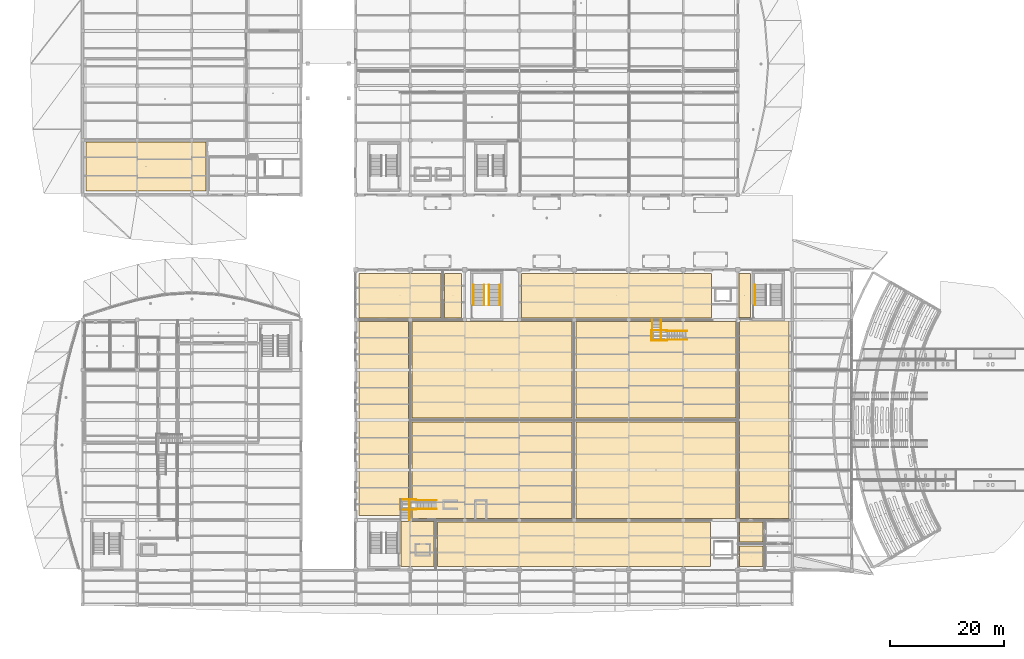
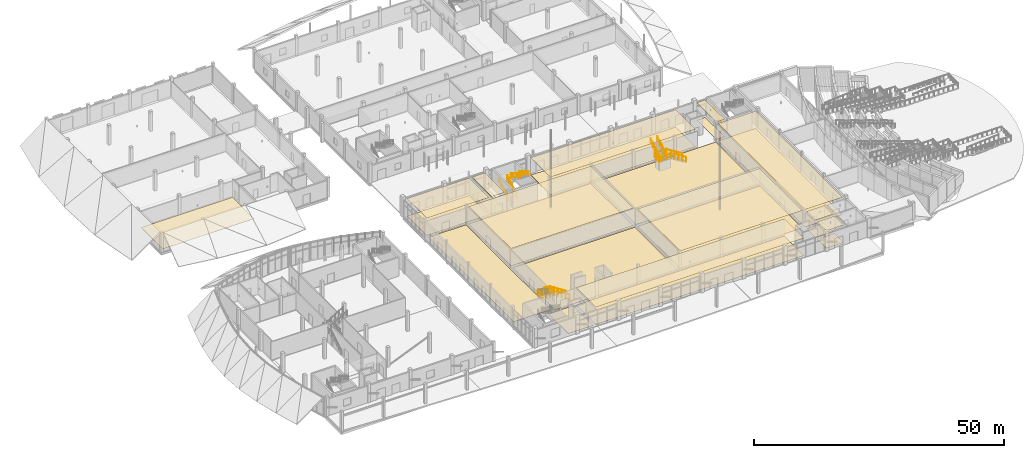
# One storey, part 108 of 116: 25 coverings, 14 railings, 4 elements without a shape of their own.
"""IFC4 building model written with IfcOpenShell, lengths in metres."""

from ifc_helpers import new_model, si_unit, direction, frame, origin, origin_2d, place, context, subcontext, project, spatial, polyline, circle, outline, extrude, material, layer, layer_set, type_object, element, aggregate, save


model = new_model("IFC4")

# Units and contexts
model_context = context("Model", 3, precision=1e-05, world=origin(), true_north=direction((0.0, 1.0)))
body_context = subcontext(model_context, "Body", "Model", "MODEL_VIEW")
ifc_project = project(units=[si_unit("LENGTHUNIT", "METRE"), si_unit("AREAUNIT", "SQUARE_METRE"), si_unit("VOLUMEUNIT", "CUBIC_METRE"), si_unit("PLANEANGLEUNIT", "RADIAN"), si_unit("MASSUNIT", "GRAM", prefix="KILO")], contexts=[model_context])

# Site, building, storey
site_placement = place(None, origin())
site = spatial("IfcSite", under=ifc_project, at=site_placement, CompositionType="ELEMENT")
building_placement = place(site_placement, origin())
building = spatial("IfcBuilding", under=site, at=building_placement, Name="Chalmorin Arch Market", CompositionType="ELEMENT")
storey_placement = place(building_placement, origin())
storey = spatial("IfcBuildingStorey", under=building, at=storey_placement, Name="L00", CompositionType="ELEMENT", Elevation=0.0)

# Coverings
ifc_material_1 = material(Name="Mineral Fibre Acoustic Tile")
ifc_layer_1 = layer(ifc_material_1, 0.044921875)
ifc_layer_set_1 = layer_set([ifc_layer_1], Name="Mineral Fibre Acoustic Tile")
covering_type_1 = type_object("IfcCoveringType", Name="AcousticBaffleCeiling-45", PredefinedType="CEILING", material=ifc_layer_set_1)
covering_1_placement = place(storey_placement, frame((0.0, 0.0, 4.235107421875)))
element("IfcCovering", 1, at=covering_1_placement, inside=storey, type_object=covering_type_1, Name="CLG-01-058", PredefinedType="CEILING", context=body_context, shape_type="SweptSolid", body=[
    extrude(outline(polyline([(86.719970703125, 15.1201171875), (114.8798828125, 15.1201171875), (114.8798828125, 32.080078125), (86.719970703125, 32.080078125), (86.719970703125, 15.1201171875)])), origin(), (0.0, 0.0, 1.0), 0.044921875),
])
covering_2_placement = place(storey_placement, frame((0.0, 0.0, 4.235107421875)))
element("IfcCovering", 2, at=covering_2_placement, inside=storey, type_object=covering_type_1, Name="CLG-01-060", PredefinedType="CEILING", context=body_context, shape_type="SweptSolid", body=[
    extrude(outline(polyline([(57.919921875, 32.719970703125), (86.080078125, 32.719970703125), (86.080078125, 49.679931640625), (57.919921875, 49.679931640625), (57.919921875, 32.719970703125)])), origin(), (0.0, 0.0, 1.0), 0.044921875),
])
covering_3_placement = place(storey_placement, frame((0.0, 0.0, 4.235107421875)))
element("IfcCovering", 3, at=covering_3_placement, inside=storey, type_object=covering_type_1, Name="CLG-01-063", PredefinedType="CEILING", context=body_context, shape_type="SweptSolid", body=[
    extrude(outline(polyline([(62.419921875, 6.6201171875), (110.3798828125, 6.6201171875), (110.3798828125, 14.47998046875), (62.419921875, 14.47998046875), (62.419921875, 6.6201171875)])), origin(), (0.0, 0.0, 1.0), 0.044921875),
])
covering_4_placement = place(storey_placement, frame((0.0, 0.0, 4.235107421875)))
element("IfcCovering", 4, at=covering_4_placement, inside=storey, type_object=covering_type_1, Name="CLG-01-065", PredefinedType="CEILING", context=body_context, shape_type="SweptSolid", body=[
    extrude(outline(polyline([(77.1201171875, 50.320068359375), (110.580078125, 50.320068359375), (110.580078125, 58.179931640625), (77.1201171875, 58.179931640625), (77.1201171875, 50.320068359375)])), origin(), (0.0, 0.0, 1.0), 0.044921875),
])
covering_5_placement = place(storey_placement, frame((0.0, 0.0, 4.235107421875)))
element("IfcCovering", 5, at=covering_5_placement, inside=storey, type_object=covering_type_1, Name="CLG-01-067", PredefinedType="CEILING", context=body_context, shape_type="SweptSolid", body=[
    extrude(outline(polyline([(48.6201171875, 50.320068359375), (62.97998046875, 50.320068359375), (62.97998046875, 58.179931640625), (48.6201171875, 58.179931640625), (48.6201171875, 50.320068359375)])), origin(), (0.0, 0.0, 1.0), 0.044921875),
])
covering_6_placement = place(storey_placement, frame((0.0, 0.0, 4.235107421875)))
element("IfcCovering", 6, at=covering_6_placement, inside=storey, type_object=covering_type_1, Name="CLG-01-071", PredefinedType="CEILING", context=body_context, shape_type="SweptSolid", body=[
    extrude(outline(polyline([(63.6201171875, 50.320068359375), (66.580078125, 50.320068359375), (66.580078125, 58.179931640625), (63.6201171875, 58.179931640625), (63.6201171875, 50.320068359375)])), origin(), (0.0, 0.0, 1.0), 0.044921875),
])
covering_7_placement = place(storey_placement, frame((0.0, 0.0, 4.235107421875)))
element("IfcCovering", 7, at=covering_7_placement, inside=storey, type_object=covering_type_1, Name="CLG-01-073", PredefinedType="CEILING", context=body_context, shape_type="SweptSolid", body=[
    extrude(outline(polyline([(115.52001953125, 15.1201171875), (124.179931640625, 15.1201171875), (124.179931640625, 49.780029296875), (115.52001953125, 49.780029296875), (115.52001953125, 15.1201171875)])), origin(), (0.0, 0.0, 1.0), 0.044921875),
])
covering_8_placement = place(storey_placement, frame((0.0, 0.0, 4.235107421875)))
element("IfcCovering", 8, at=covering_8_placement, inside=storey, type_object=covering_type_1, Name="CLG-01-075", PredefinedType="CEILING", context=body_context, shape_type="SweptSolid", body=[
    extrude(outline(polyline([(115.419921875, 50.419921875), (117.3798828125, 50.419921875), (117.3798828125, 58.179931640625), (115.419921875, 58.179931640625), (115.419921875, 50.419921875)])), origin(), (0.0, 0.0, 1.0), 0.044921875),
])
ifc_material_2 = material(Name="Epoxy Resin Flooring")
ifc_layer_2 = layer(ifc_material_2, 0.02001953125)
ifc_layer_set_2 = layer_set([ifc_layer_2], Name="Epoxy Resin Flooring")
covering_type_2 = type_object("IfcCoveringType", Name="EpoxySlipResistantKitchenFloor-20", PredefinedType="FLOORING", material=ifc_layer_set_2)
covering_9_placement = place(storey_placement, origin())
element("IfcCovering", 9, at=covering_9_placement, inside=storey, type_object=covering_type_2, Name="FLR-02-109", PredefinedType="FLOORING", context=body_context, shape_type="SweptSolid", body=[
    extrude(outline(polyline([(0.6201171875, 72.6201171875), (21.679931640625, 72.6201171875), (21.679931640625, 81.280029296875), (0.6201171875, 81.280029296875), (0.6201171875, 72.6201171875)])), origin(), (0.0, 0.0, 1.0), 0.02001953125),
])
ifc_material_3 = material(Name="Gypsum Board Partition")
ifc_layer_3 = layer(ifc_material_3, 0.030029296875)
ifc_layer_set_3 = layer_set([ifc_layer_3], Name="Gypsum Board Partition")
covering_type_3 = type_object("IfcCoveringType", Name="MoistureResistantGypsumCeiling-30", PredefinedType="CEILING", material=ifc_layer_set_3)
covering_10_placement = place(storey_placement, frame((0.0, 0.0, 4.25)))
element("IfcCovering", 10, at=covering_10_placement, inside=storey, type_object=covering_type_3, Name="CLG-03-077", PredefinedType="CEILING", context=body_context, shape_type="SweptSolid", body=[
    extrude(outline(polyline([(115.52001953125, 6.6201171875), (119.580078125, 6.6201171875), (119.580078125, 10.280029296875), (115.52001953125, 10.280029296875), (115.52001953125, 6.6201171875)])), origin(), (0.0, 0.0, 1.0), 0.030029296875),
])
covering_11_placement = place(storey_placement, frame((0.0, 0.0, 4.25)))
element("IfcCovering", 11, at=covering_11_placement, inside=storey, type_object=covering_type_3, Name="CLG-03-081", PredefinedType="CEILING", context=body_context, shape_type="SweptSolid", body=[
    extrude(outline(polyline([(115.52001953125, 10.919921875), (119.580078125, 10.919921875), (119.580078125, 14.47998046875), (115.52001953125, 14.47998046875), (115.52001953125, 10.919921875)])), origin(), (0.0, 0.0, 1.0), 0.030029296875),
])
ifc_material_4 = material(Name="Ceramic Porcelain Tile")
ifc_layer_4 = layer(ifc_material_4, 0.01806640625)
ifc_layer_set_4 = layer_set([ifc_layer_4], Name="Ceramic Porcelain Tile")
covering_type_4 = type_object("IfcCoveringType", Name="PorcelainRestroomTileFloor-18", PredefinedType="FLOORING", material=ifc_layer_set_4)
covering_12_placement = place(storey_placement, origin())
element("IfcCovering", 12, at=covering_12_placement, inside=storey, type_object=covering_type_4, Name="FLR-03-076", PredefinedType="FLOORING", context=body_context, shape_type="SweptSolid", body=[
    extrude(outline(polyline([(115.52001953125, 6.6201171875), (119.580078125, 6.6201171875), (119.580078125, 10.280029296875), (115.52001953125, 10.280029296875), (115.52001953125, 6.6201171875)])), origin(), (0.0, 0.0, 1.0), 0.01806640625),
])
covering_13_placement = place(storey_placement, origin())
element("IfcCovering", 13, at=covering_13_placement, inside=storey, type_object=covering_type_4, Name="FLR-03-080", PredefinedType="FLOORING", context=body_context, shape_type="SweptSolid", body=[
    extrude(outline(polyline([(115.52001953125, 10.919921875), (119.580078125, 10.919921875), (119.580078125, 14.47998046875), (115.52001953125, 14.47998046875), (115.52001953125, 10.919921875)])), origin(), (0.0, 0.0, 1.0), 0.01806640625),
])

# Stair, railing
ifc_material_5 = material(Name="Concrete C40/50", Category="concrete")
stair_type_1 = type_object("IfcStairType", Name="DoglegExitStair-28R-SC4", PredefinedType="HALF_TURN_STAIR", material=ifc_material_5)
stair_1_placement = place(storey_placement, origin())
stair_1 = element("IfcStair", 14, at=stair_1_placement, inside=storey, type_object=stair_type_1, Name="ST-09", PredefinedType="HALF_TURN_STAIR")
ifc_material_6 = material(Name="Stainless Steel 316", Category="steel")
ifc_layer_5 = layer(ifc_material_6, 0.048095703125)
ifc_layer_set_5 = layer_set([ifc_layer_5], Name="Stainless Steel 316")
railing_type_1 = type_object("IfcRailingType", Name="StairTubeHandrail-920", PredefinedType="HANDRAIL", material=ifc_layer_set_5)
railing_1_placement = place(storey_placement, frame((118.199951171875, 52.56005859375, 0.17138671875)))
railing_1 = element("IfcRailing", 15, at=railing_1_placement, type_object=railing_type_1, Name="HR-01-037", PredefinedType="HANDRAIL", context=body_context, shape_type="SweptSolid", body=[
    extrude(circle(Radius=0.02392578125, at=origin_2d()), frame((0.0, 0.0, 0.89599609375), z_axis=(0.0, 0.852850264322, 0.5221555579), x_axis=(-1.0, 0.0, 0.0)), (0.0, 0.0, 1.0), 4.267822265625),
    extrude(circle(Radius=0.02099609375, at=origin_2d()), origin(), (0.0, 0.0, 1.0), 0.871826171875),
    extrude(circle(Radius=0.02099609375, at=origin_2d()), frame((0.0, 0.909912109375, 0.55712890625)), (0.0, 0.0, 1.0), 0.871826171875),
    extrude(circle(Radius=0.02099609375, at=origin_2d()), frame((0.0, 1.81982421875, 1.1142578125)), (0.0, 0.0, 1.0), 0.871826171875),
    extrude(circle(Radius=0.02099609375, at=origin_2d()), frame((0.0, 2.72998046875, 1.67138671875)), (0.0, 0.0, 1.0), 0.871826171875),
    extrude(circle(Radius=0.02099609375, at=origin_2d()), frame((0.0, 3.639892578125, 2.228515625)), (0.0, 0.0, 1.0), 0.871826171875),
])
aggregate(stair_1, [railing_1])

# Stair, railings
stair_type_2 = type_object("IfcStairType", Name="DoglegExitStair-28R-SC8", PredefinedType="HALF_TURN_STAIR", material=ifc_material_5)
stair_2_placement = place(storey_placement, origin())
stair_2 = element("IfcStair", 16, at=stair_2_placement, inside=storey, type_object=stair_type_2, Name="ST-24", PredefinedType="HALF_TURN_STAIR")
railing_2_placement = place(storey_placement, frame((68.699951171875, 52.56005859375, 0.17138671875)))
railing_2 = element("IfcRailing", 17, at=railing_2_placement, type_object=railing_type_1, Name="HR-01-101", PredefinedType="HANDRAIL", context=body_context, shape_type="SweptSolid", body=[
    extrude(circle(Radius=0.02392578125, at=origin_2d()), frame((0.0, 0.0, 0.89599609375), z_axis=(0.0, 0.852850264322, 0.5221555579), x_axis=(-1.0, 0.0, 0.0)), (0.0, 0.0, 1.0), 4.267822265625),
    extrude(circle(Radius=0.02099609375, at=origin_2d()), origin(), (0.0, 0.0, 1.0), 0.871826171875),
    extrude(circle(Radius=0.02099609375, at=origin_2d()), frame((0.0, 0.909912109375, 0.55712890625)), (0.0, 0.0, 1.0), 0.871826171875),
    extrude(circle(Radius=0.02099609375, at=origin_2d()), frame((0.0, 1.81982421875, 1.1142578125)), (0.0, 0.0, 1.0), 0.871826171875),
    extrude(circle(Radius=0.02099609375, at=origin_2d()), frame((0.0, 2.72998046875, 1.67138671875)), (0.0, 0.0, 1.0), 0.871826171875),
    extrude(circle(Radius=0.02099609375, at=origin_2d()), frame((0.0, 3.639892578125, 2.228515625)), (0.0, 0.0, 1.0), 0.871826171875),
])
railing_3_placement = place(storey_placement, frame((73.39990234375, 56.199951171875, 2.5712890625)))
railing_3 = element("IfcRailing", 18, at=railing_3_placement, type_object=railing_type_1, Name="HR-01-104", PredefinedType="HANDRAIL", context=body_context, shape_type="SweptSolid", body=[
    extrude(circle(Radius=0.02392578125, at=origin_2d()), frame((0.0, 0.0, 0.89599609375), z_axis=(0.0, -0.852824790078, 0.522197163366), x_axis=(1.0, 0.0, 0.0)), (0.0, 0.0, 1.0), 4.26806640625),
    extrude(circle(Radius=0.02099609375, at=origin_2d()), origin(), (0.0, 0.0, 1.0), 0.871826171875),
    extrude(circle(Radius=0.02099609375, at=origin_2d()), frame((0.0, -0.909912109375, 0.55712890625)), (0.0, 0.0, 1.0), 0.871826171875),
    extrude(circle(Radius=0.02099609375, at=origin_2d()), frame((0.0, -1.81982421875, 1.1142578125)), (0.0, 0.0, 1.0), 0.871826171875),
    extrude(circle(Radius=0.02099609375, at=origin_2d()), frame((0.0, -2.72998046875, 1.671630859375)), (0.0, 0.0, 1.0), 0.871826171875),
    extrude(circle(Radius=0.02099609375, at=origin_2d()), frame((0.0, -3.639892578125, 2.228759765625)), (0.0, 0.0, 1.0), 0.871826171875),
])
ifc_material_7 = material(Name="Galvanised Steel", Category="steel")
ifc_layer_6 = layer(ifc_material_7, 0.054931640625)
ifc_layer_set_6 = layer_set([ifc_layer_6], Name="Galvanised Steel")
railing_type_2 = type_object("IfcRailingType", Name="StairWellGuardrail-1100", PredefinedType="GUARDRAIL", material=ifc_layer_set_6)
railing_4_placement = place(storey_placement, frame((70.6298828125, 52.56005859375, 0.17138671875)))
railing_4 = element("IfcRailing", 19, at=railing_4_placement, type_object=railing_type_2, Name="SG-01-102", PredefinedType="GUARDRAIL", context=body_context, shape_type="SweptSolid", body=[
    extrude(circle(Radius=0.02392578125, at=origin_2d()), frame((0.0, 0.0, 1.076171875), z_axis=(0.0, 0.852850264322, 0.5221555579), x_axis=(-1.0, 0.0, 0.0)), (0.0, 0.0, 1.0), 4.267822265625),
    extrude(circle(Radius=0.02099609375, at=origin_2d()), origin(), (0.0, 0.0, 1.0), 1.052001953125),
    extrude(circle(Radius=0.02099609375, at=origin_2d()), frame((0.0, 0.909912109375, 0.55712890625)), (0.0, 0.0, 1.0), 1.052001953125),
    extrude(circle(Radius=0.02099609375, at=origin_2d()), frame((0.0, 1.81982421875, 1.1142578125)), (0.0, 0.0, 1.0), 1.052001953125),
    extrude(circle(Radius=0.02099609375, at=origin_2d()), frame((0.0, 2.72998046875, 1.67138671875)), (0.0, 0.0, 1.0), 1.052001953125),
    extrude(circle(Radius=0.02099609375, at=origin_2d()), frame((0.0, 3.639892578125, 2.228515625)), (0.0, 0.0, 1.0), 1.052001953125),
])
railing_5_placement = place(storey_placement, frame((71.469970703125, 56.199951171875, 2.5712890625)))
railing_5 = element("IfcRailing", 20, at=railing_5_placement, type_object=railing_type_2, Name="SG-01-103", PredefinedType="GUARDRAIL", context=body_context, shape_type="SweptSolid", body=[
    extrude(circle(Radius=0.02392578125, at=origin_2d()), frame((0.0, 0.0, 1.076171875), z_axis=(0.0, -0.852824790078, 0.522197163366), x_axis=(1.0, 0.0, 0.0)), (0.0, 0.0, 1.0), 4.26806640625),
    extrude(circle(Radius=0.02099609375, at=origin_2d()), origin(), (0.0, 0.0, 1.0), 1.052001953125),
    extrude(circle(Radius=0.02099609375, at=origin_2d()), frame((0.0, -0.909912109375, 0.55712890625)), (0.0, 0.0, 1.0), 1.052001953125),
    extrude(circle(Radius=0.02099609375, at=origin_2d()), frame((0.0, -1.81982421875, 1.1142578125)), (0.0, 0.0, 1.0), 1.052001953125),
    extrude(circle(Radius=0.02099609375, at=origin_2d()), frame((0.0, -2.72998046875, 1.671630859375)), (0.0, 0.0, 1.0), 1.052001953125),
    extrude(circle(Radius=0.02099609375, at=origin_2d()), frame((0.0, -3.639892578125, 2.228759765625)), (0.0, 0.0, 1.0), 1.052001953125),
])
aggregate(stair_2, [railing_2, railing_4, railing_5, railing_3])

ifc_material_8 = material(Name="Steel A992 Grade 50", Category="steel")
stair_type_3 = type_object("IfcStairType", Name="GalleryFeatureStair-Steel", PredefinedType="QUARTER_TURN_STAIR", material=ifc_material_8)
stair_3_placement = place(storey_placement, origin())
stair_3 = element("IfcStair", 21, at=stair_3_placement, inside=storey, type_object=stair_type_3, Name="ST-26", PredefinedType="QUARTER_TURN_STAIR")
railing_6_placement = place(storey_placement, frame((58.6201171875, 16.610107421875, 2.39990234375)))
railing_6 = element("IfcRailing", 22, at=railing_6_placement, type_object=railing_type_2, Name="SG-01-109", PredefinedType="GUARDRAIL", context=body_context, shape_type="SweptSolid", body=[
    extrude(circle(Radius=0.02392578125, at=origin_2d()), frame((0.0, 0.0, 1.076171875), z_axis=(-1.0, 0.0, 0.0), x_axis=(0.0, -1.0, 0.0)), (0.0, 0.0, 1.0), 2.760009765625),
    extrude(circle(Radius=0.02392578125, at=origin_2d()), frame((-2.760009765625, 0.0, 1.076171875), z_axis=(0.0, 1.0, 0.0), x_axis=(-1.0, 0.0, 0.0)), (0.0, 0.0, 1.0), 1.829833984375),
    extrude(circle(Radius=0.02392578125, at=origin_2d()), frame((-2.760009765625, 1.829833984375, 1.076171875), z_axis=(1.0, 0.0, 0.0), x_axis=(0.0, 1.0, 0.0)), (0.0, 0.0, 1.0), 2.760009765625),
    extrude(circle(Radius=0.02099609375, at=origin_2d()), origin(), (0.0, 0.0, 1.0), 1.052001953125),
    extrude(circle(Radius=0.02099609375, at=origin_2d()), frame((-0.919921875, 0.0, 0.0)), (0.0, 0.0, 1.0), 1.052001953125),
    extrude(circle(Radius=0.02099609375, at=origin_2d()), frame((-1.840087890625, 0.0, 0.0)), (0.0, 0.0, 1.0), 1.052001953125),
    extrude(circle(Radius=0.02099609375, at=origin_2d()), frame((-2.760009765625, 0.0, 0.0)), (0.0, 0.0, 1.0), 1.052001953125),
    extrude(circle(Radius=0.02099609375, at=origin_2d()), frame((-2.760009765625, 0.9150390625, 0.0)), (0.0, 0.0, 1.0), 1.052001953125),
    extrude(circle(Radius=0.02099609375, at=origin_2d()), frame((-2.760009765625, 1.829833984375, 0.0)), (0.0, 0.0, 1.0), 1.052001953125),
    extrude(circle(Radius=0.02099609375, at=origin_2d()), frame((-1.840087890625, 1.829833984375, 0.0)), (0.0, 0.0, 1.0), 1.052001953125),
    extrude(circle(Radius=0.02099609375, at=origin_2d()), frame((-0.919921875, 1.829833984375, 0.0)), (0.0, 0.0, 1.0), 1.052001953125),
    extrude(circle(Radius=0.02099609375, at=origin_2d()), frame((0.0, 1.829833984375, 0.0)), (0.0, 0.0, 1.0), 1.052001953125),
])
railing_7_placement = place(storey_placement, frame((62.199951171875, 18.284912109375, 0.17138671875)))
railing_7 = element("IfcRailing", 23, at=railing_7_placement, type_object=railing_type_2, Name="SG-01-110", PredefinedType="GUARDRAIL", context=body_context, shape_type="SweptSolid", body=[
    extrude(circle(Radius=0.02392578125, at=origin_2d()), frame((0.0, 0.0, 1.076171875), z_axis=(-0.852850264322, 0.0, 0.5221555579), x_axis=(0.0, -1.0, 0.0)), (0.0, 0.0, 1.0), 4.267822265625),
    extrude(circle(Radius=0.02099609375, at=origin_2d()), origin(), (0.0, 0.0, 1.0), 1.052001953125),
    extrude(circle(Radius=0.02099609375, at=origin_2d()), frame((-0.909912109375, 0.0, 0.55712890625)), (0.0, 0.0, 1.0), 1.052001953125),
    extrude(circle(Radius=0.02099609375, at=origin_2d()), frame((-1.81982421875, 0.0, 1.1142578125)), (0.0, 0.0, 1.0), 1.052001953125),
    extrude(circle(Radius=0.02099609375, at=origin_2d()), frame((-2.72998046875, 0.0, 1.67138671875)), (0.0, 0.0, 1.0), 1.052001953125),
    extrude(circle(Radius=0.02099609375, at=origin_2d()), frame((-3.639892578125, 0.0, 2.228515625)), (0.0, 0.0, 1.0), 1.052001953125),
])
railing_8_placement = place(storey_placement, frame((62.199951171875, 16.7548828125, 0.17138671875)))
railing_8 = element("IfcRailing", 24, at=railing_8_placement, type_object=railing_type_2, Name="SG-01-111", PredefinedType="GUARDRAIL", context=body_context, shape_type="SweptSolid", body=[
    extrude(circle(Radius=0.02392578125, at=origin_2d()), frame((0.0, 0.0, 1.076171875), z_axis=(-0.852850264322, 0.0, 0.5221555579), x_axis=(0.0, -1.0, 0.0)), (0.0, 0.0, 1.0), 4.267822265625),
    extrude(circle(Radius=0.02099609375, at=origin_2d()), origin(), (0.0, 0.0, 1.0), 1.052001953125),
    extrude(circle(Radius=0.02099609375, at=origin_2d()), frame((-0.909912109375, 0.0, 0.55712890625)), (0.0, 0.0, 1.0), 1.052001953125),
    extrude(circle(Radius=0.02099609375, at=origin_2d()), frame((-1.81982421875, 0.0, 1.1142578125)), (0.0, 0.0, 1.0), 1.052001953125),
    extrude(circle(Radius=0.02099609375, at=origin_2d()), frame((-2.72998046875, 0.0, 1.67138671875)), (0.0, 0.0, 1.0), 1.052001953125),
    extrude(circle(Radius=0.02099609375, at=origin_2d()), frame((-3.639892578125, 0.0, 2.228515625)), (0.0, 0.0, 1.0), 1.052001953125),
])
railing_9_placement = place(storey_placement, frame((57.465087890625, 18.409912109375, 2.5712890625)))
railing_9 = element("IfcRailing", 25, at=railing_9_placement, type_object=railing_type_2, Name="SG-01-113", PredefinedType="GUARDRAIL", context=body_context, shape_type="SweptSolid", body=[
    extrude(circle(Radius=0.02392578125, at=origin_2d()), frame((0.0, 0.0, 1.076171875), z_axis=(0.0, -0.852824790078, 0.522197163366), x_axis=(1.0, 0.0, 0.0)), (0.0, 0.0, 1.0), 4.26806640625),
    extrude(circle(Radius=0.02099609375, at=origin_2d()), origin(), (0.0, 0.0, 1.0), 1.052001953125),
    extrude(circle(Radius=0.02099609375, at=origin_2d()), frame((0.0, -0.909912109375, 0.55712890625)), (0.0, 0.0, 1.0), 1.052001953125),
    extrude(circle(Radius=0.02099609375, at=origin_2d()), frame((0.0, -1.81982421875, 1.1142578125)), (0.0, 0.0, 1.0), 1.052001953125),
    extrude(circle(Radius=0.02099609375, at=origin_2d()), frame((0.0, -2.72998046875, 1.671630859375)), (0.0, 0.0, 1.0), 1.052001953125),
    extrude(circle(Radius=0.02099609375, at=origin_2d()), frame((0.0, -3.639892578125, 2.228759765625)), (0.0, 0.0, 1.0), 1.052001953125),
])
aggregate(stair_3, [railing_6, railing_7, railing_8, railing_9])

stair_4_placement = place(storey_placement, origin())
stair_4 = element("IfcStair", 26, at=stair_4_placement, inside=storey, type_object=stair_type_3, Name="ST-27", PredefinedType="QUARTER_TURN_STAIR")
railing_10_placement = place(storey_placement, frame((102.719970703125, 46.360107421875, 2.39990234375)))
railing_10 = element("IfcRailing", 27, at=railing_10_placement, type_object=railing_type_2, Name="SG-01-114", PredefinedType="GUARDRAIL", context=body_context, shape_type="SweptSolid", body=[
    extrude(circle(Radius=0.02392578125, at=origin_2d()), frame((0.0, 0.0, 1.076171875), z_axis=(-1.0, 0.0, 0.0), x_axis=(0.0, -1.0, 0.0)), (0.0, 0.0, 1.0), 2.760009765625),
    extrude(circle(Radius=0.02392578125, at=origin_2d()), frame((-2.760009765625, 0.0, 1.076171875), z_axis=(0.0, 1.0, 0.0), x_axis=(-1.0, 0.0, 0.0)), (0.0, 0.0, 1.0), 1.829833984375),
    extrude(circle(Radius=0.02392578125, at=origin_2d()), frame((-2.760009765625, 1.829833984375, 1.076171875), z_axis=(1.0, 0.0, 0.0), x_axis=(0.0, 1.0, 0.0)), (0.0, 0.0, 1.0), 2.760009765625),
    extrude(circle(Radius=0.02099609375, at=origin_2d()), origin(), (0.0, 0.0, 1.0), 1.052001953125),
    extrude(circle(Radius=0.02099609375, at=origin_2d()), frame((-0.919921875, 0.0, 0.0)), (0.0, 0.0, 1.0), 1.052001953125),
    extrude(circle(Radius=0.02099609375, at=origin_2d()), frame((-1.840087890625, 0.0, 0.0)), (0.0, 0.0, 1.0), 1.052001953125),
    extrude(circle(Radius=0.02099609375, at=origin_2d()), frame((-2.760009765625, 0.0, 0.0)), (0.0, 0.0, 1.0), 1.052001953125),
    extrude(circle(Radius=0.02099609375, at=origin_2d()), frame((-2.760009765625, 0.9150390625, 0.0)), (0.0, 0.0, 1.0), 1.052001953125),
    extrude(circle(Radius=0.02099609375, at=origin_2d()), frame((-2.760009765625, 1.829833984375, 0.0)), (0.0, 0.0, 1.0), 1.052001953125),
    extrude(circle(Radius=0.02099609375, at=origin_2d()), frame((-1.840087890625, 1.829833984375, 0.0)), (0.0, 0.0, 1.0), 1.052001953125),
    extrude(circle(Radius=0.02099609375, at=origin_2d()), frame((-0.919921875, 1.829833984375, 0.0)), (0.0, 0.0, 1.0), 1.052001953125),
    extrude(circle(Radius=0.02099609375, at=origin_2d()), frame((0.0, 1.829833984375, 0.0)), (0.0, 0.0, 1.0), 1.052001953125),
])
railing_11_placement = place(storey_placement, frame((106.300048828125, 48.044921875, 0.17138671875)))
railing_11 = element("IfcRailing", 28, at=railing_11_placement, type_object=railing_type_2, Name="SG-01-115", PredefinedType="GUARDRAIL", context=body_context, shape_type="SweptSolid", body=[
    extrude(circle(Radius=0.02392578125, at=origin_2d()), frame((0.0, 0.0, 1.076171875), z_axis=(-0.852865859571, 0.0, 0.52213008492), x_axis=(0.0, -1.0, 0.0)), (0.0, 0.0, 1.0), 4.26806640625),
    extrude(circle(Radius=0.02099609375, at=origin_2d()), origin(), (0.0, 0.0, 1.0), 1.052001953125),
    extrude(circle(Radius=0.02099609375, at=origin_2d()), frame((-0.91015625, 0.0, 0.55712890625)), (0.0, 0.0, 1.0), 1.052001953125),
    extrude(circle(Radius=0.02099609375, at=origin_2d()), frame((-1.820068359375, 0.0, 1.1142578125)), (0.0, 0.0, 1.0), 1.052001953125),
    extrude(circle(Radius=0.02099609375, at=origin_2d()), frame((-2.72998046875, 0.0, 1.67138671875)), (0.0, 0.0, 1.0), 1.052001953125),
    extrude(circle(Radius=0.02099609375, at=origin_2d()), frame((-3.64013671875, 0.0, 2.228515625)), (0.0, 0.0, 1.0), 1.052001953125),
])
railing_12_placement = place(storey_placement, frame((106.300048828125, 46.514892578125, 0.17138671875)))
railing_12 = element("IfcRailing", 29, at=railing_12_placement, type_object=railing_type_2, Name="SG-01-116", PredefinedType="GUARDRAIL", context=body_context, shape_type="SweptSolid", body=[
    extrude(circle(Radius=0.02392578125, at=origin_2d()), frame((0.0, 0.0, 1.076171875), z_axis=(-0.852865859571, 0.0, 0.52213008492), x_axis=(0.0, -1.0, 0.0)), (0.0, 0.0, 1.0), 4.26806640625),
    extrude(circle(Radius=0.02099609375, at=origin_2d()), origin(), (0.0, 0.0, 1.0), 1.052001953125),
    extrude(circle(Radius=0.02099609375, at=origin_2d()), frame((-0.91015625, 0.0, 0.55712890625)), (0.0, 0.0, 1.0), 1.052001953125),
    extrude(circle(Radius=0.02099609375, at=origin_2d()), frame((-1.820068359375, 0.0, 1.1142578125)), (0.0, 0.0, 1.0), 1.052001953125),
    extrude(circle(Radius=0.02099609375, at=origin_2d()), frame((-2.72998046875, 0.0, 1.67138671875)), (0.0, 0.0, 1.0), 1.052001953125),
    extrude(circle(Radius=0.02099609375, at=origin_2d()), frame((-3.64013671875, 0.0, 2.228515625)), (0.0, 0.0, 1.0), 1.052001953125),
])
railing_13_placement = place(storey_placement, frame((101.6650390625, 46.389892578125, 2.5712890625)))
railing_13 = element("IfcRailing", 30, at=railing_13_placement, type_object=railing_type_2, Name="SG-01-117", PredefinedType="GUARDRAIL", context=body_context, shape_type="SweptSolid", body=[
    extrude(circle(Radius=0.02392578125, at=origin_2d()), frame((0.0, 0.0, 1.076171875), z_axis=(0.0, 0.852840387347, 0.522171689878), x_axis=(-1.0, 0.0, 0.0)), (0.0, 0.0, 1.0), 4.268310546875),
    extrude(circle(Radius=0.02099609375, at=origin_2d()), origin(), (0.0, 0.0, 1.0), 1.052001953125),
    extrude(circle(Radius=0.02099609375, at=origin_2d()), frame((0.0, 0.91015625, 0.55712890625)), (0.0, 0.0, 1.0), 1.052001953125),
    extrude(circle(Radius=0.02099609375, at=origin_2d()), frame((0.0, 1.820068359375, 1.1142578125)), (0.0, 0.0, 1.0), 1.052001953125),
    extrude(circle(Radius=0.02099609375, at=origin_2d()), frame((0.0, 2.72998046875, 1.671630859375)), (0.0, 0.0, 1.0), 1.052001953125),
    extrude(circle(Radius=0.02099609375, at=origin_2d()), frame((0.0, 3.64013671875, 2.228759765625)), (0.0, 0.0, 1.0), 1.052001953125),
])
railing_14_placement = place(storey_placement, frame((100.135009765625, 46.389892578125, 2.5712890625)))
railing_14 = element("IfcRailing", 31, at=railing_14_placement, type_object=railing_type_2, Name="SG-01-118", PredefinedType="GUARDRAIL", context=body_context, shape_type="SweptSolid", body=[
    extrude(circle(Radius=0.02392578125, at=origin_2d()), frame((0.0, 0.0, 1.076171875), z_axis=(0.0, 0.852840387347, 0.522171689878), x_axis=(-1.0, 0.0, 0.0)), (0.0, 0.0, 1.0), 4.268310546875),
    extrude(circle(Radius=0.02099609375, at=origin_2d()), origin(), (0.0, 0.0, 1.0), 1.052001953125),
    extrude(circle(Radius=0.02099609375, at=origin_2d()), frame((0.0, 0.91015625, 0.55712890625)), (0.0, 0.0, 1.0), 1.052001953125),
    extrude(circle(Radius=0.02099609375, at=origin_2d()), frame((0.0, 1.820068359375, 1.1142578125)), (0.0, 0.0, 1.0), 1.052001953125),
    extrude(circle(Radius=0.02099609375, at=origin_2d()), frame((0.0, 2.72998046875, 1.671630859375)), (0.0, 0.0, 1.0), 1.052001953125),
    extrude(circle(Radius=0.02099609375, at=origin_2d()), frame((0.0, 3.64013671875, 2.228759765625)), (0.0, 0.0, 1.0), 1.052001953125),
])
aggregate(stair_4, [railing_10, railing_11, railing_12, railing_13, railing_14])

# Coverings
ifc_material_9 = material(Name="Polished Terrazzo")
ifc_layer_7 = layer(ifc_material_9, 0.02490234375)
ifc_layer_set_7 = layer_set([ifc_layer_7], Name="Polished Terrazzo")
covering_type_5 = type_object("IfcCoveringType", Name="TerrazzoMarketFloorFinish-25", PredefinedType="FLOORING", material=ifc_layer_set_7)
covering_14_placement = place(storey_placement, origin())
element("IfcCovering", 32, at=covering_14_placement, inside=storey, type_object=covering_type_5, Name="FLR-01-056", PredefinedType="FLOORING", context=body_context, shape_type="SweptSolid", body=[
    extrude(outline(polyline([(57.919921875, 15.1201171875), (86.080078125, 15.1201171875), (86.080078125, 32.080078125), (57.919921875, 32.080078125), (57.919921875, 15.1201171875)])), origin(), (0.0, 0.0, 1.0), 0.02490234375),
])
covering_15_placement = place(storey_placement, origin())
element("IfcCovering", 33, at=covering_15_placement, inside=storey, type_object=covering_type_5, Name="FLR-01-057", PredefinedType="FLOORING", context=body_context, shape_type="SweptSolid", body=[
    extrude(outline(polyline([(86.719970703125, 15.1201171875), (114.8798828125, 15.1201171875), (114.8798828125, 32.080078125), (86.719970703125, 32.080078125), (86.719970703125, 15.1201171875)])), origin(), (0.0, 0.0, 1.0), 0.02490234375),
])
covering_16_placement = place(storey_placement, origin())
element("IfcCovering", 34, at=covering_16_placement, inside=storey, type_object=covering_type_5, Name="FLR-01-059", PredefinedType="FLOORING", context=body_context, shape_type="SweptSolid", body=[
    extrude(outline(polyline([(57.919921875, 32.719970703125), (86.080078125, 32.719970703125), (86.080078125, 49.679931640625), (57.919921875, 49.679931640625), (57.919921875, 32.719970703125)])), origin(), (0.0, 0.0, 1.0), 0.02490234375),
])
covering_17_placement = place(storey_placement, origin())
element("IfcCovering", 35, at=covering_17_placement, inside=storey, type_object=covering_type_5, Name="FLR-01-061", PredefinedType="FLOORING", context=body_context, shape_type="SweptSolid", body=[
    extrude(outline(polyline([(86.719970703125, 32.719970703125), (114.8798828125, 32.719970703125), (114.8798828125, 49.679931640625), (86.719970703125, 49.679931640625), (86.719970703125, 32.719970703125)])), origin(), (0.0, 0.0, 1.0), 0.02490234375),
])
covering_18_placement = place(storey_placement, origin())
element("IfcCovering", 36, at=covering_18_placement, inside=storey, type_object=covering_type_5, Name="FLR-01-062", PredefinedType="FLOORING", context=body_context, shape_type="SweptSolid", body=[
    extrude(outline(polyline([(62.419921875, 6.6201171875), (110.3798828125, 6.6201171875), (110.3798828125, 14.47998046875), (62.419921875, 14.47998046875), (62.419921875, 6.6201171875)])), origin(), (0.0, 0.0, 1.0), 0.02490234375),
])
covering_19_placement = place(storey_placement, origin())
element("IfcCovering", 37, at=covering_19_placement, inside=storey, type_object=covering_type_5, Name="FLR-01-064", PredefinedType="FLOORING", context=body_context, shape_type="SweptSolid", body=[
    extrude(outline(polyline([(77.1201171875, 50.320068359375), (110.580078125, 50.320068359375), (110.580078125, 58.179931640625), (77.1201171875, 58.179931640625), (77.1201171875, 50.320068359375)])), origin(), (0.0, 0.0, 1.0), 0.02490234375),
])
covering_20_placement = place(storey_placement, origin())
element("IfcCovering", 38, at=covering_20_placement, inside=storey, type_object=covering_type_5, Name="FLR-01-066", PredefinedType="FLOORING", context=body_context, shape_type="SweptSolid", body=[
    extrude(outline(polyline([(48.6201171875, 50.320068359375), (62.97998046875, 50.320068359375), (62.97998046875, 58.179931640625), (48.6201171875, 58.179931640625), (48.6201171875, 50.320068359375)])), origin(), (0.0, 0.0, 1.0), 0.02490234375),
])
covering_21_placement = place(storey_placement, origin())
element("IfcCovering", 39, at=covering_21_placement, inside=storey, type_object=covering_type_5, Name="FLR-01-068", PredefinedType="FLOORING", context=body_context, shape_type="SweptSolid", body=[
    extrude(outline(polyline([(48.6201171875, 15.6201171875), (57.280029296875, 15.6201171875), (57.280029296875, 49.679931640625), (48.6201171875, 49.679931640625), (48.6201171875, 15.6201171875)])), origin(), (0.0, 0.0, 1.0), 0.02490234375),
])
covering_22_placement = place(storey_placement, origin())
element("IfcCovering", 40, at=covering_22_placement, inside=storey, type_object=covering_type_5, Name="FLR-01-069", PredefinedType="FLOORING", context=body_context, shape_type="SweptSolid", body=[
    extrude(outline(polyline([(56.02001953125, 6.6201171875), (61.780029296875, 6.6201171875), (61.780029296875, 14.580078125), (56.02001953125, 14.580078125), (56.02001953125, 6.6201171875)])), origin(), (0.0, 0.0, 1.0), 0.02490234375),
])
covering_23_placement = place(storey_placement, origin())
element("IfcCovering", 41, at=covering_23_placement, inside=storey, type_object=covering_type_5, Name="FLR-01-070", PredefinedType="FLOORING", context=body_context, shape_type="SweptSolid", body=[
    extrude(outline(polyline([(63.6201171875, 50.320068359375), (66.580078125, 50.320068359375), (66.580078125, 58.179931640625), (63.6201171875, 58.179931640625), (63.6201171875, 50.320068359375)])), origin(), (0.0, 0.0, 1.0), 0.02490234375),
])
covering_24_placement = place(storey_placement, origin())
element("IfcCovering", 42, at=covering_24_placement, inside=storey, type_object=covering_type_5, Name="FLR-01-072", PredefinedType="FLOORING", context=body_context, shape_type="SweptSolid", body=[
    extrude(outline(polyline([(115.52001953125, 15.1201171875), (124.179931640625, 15.1201171875), (124.179931640625, 49.780029296875), (115.52001953125, 49.780029296875), (115.52001953125, 15.1201171875)])), origin(), (0.0, 0.0, 1.0), 0.02490234375),
])
covering_25_placement = place(storey_placement, origin())
element("IfcCovering", 43, at=covering_25_placement, inside=storey, type_object=covering_type_5, Name="FLR-01-074", PredefinedType="FLOORING", context=body_context, shape_type="SweptSolid", body=[
    extrude(outline(polyline([(115.419921875, 50.419921875), (117.3798828125, 50.419921875), (117.3798828125, 58.179931640625), (115.419921875, 58.179931640625), (115.419921875, 50.419921875)])), origin(), (0.0, 0.0, 1.0), 0.02490234375),
])

save(model, "model.ifc")
